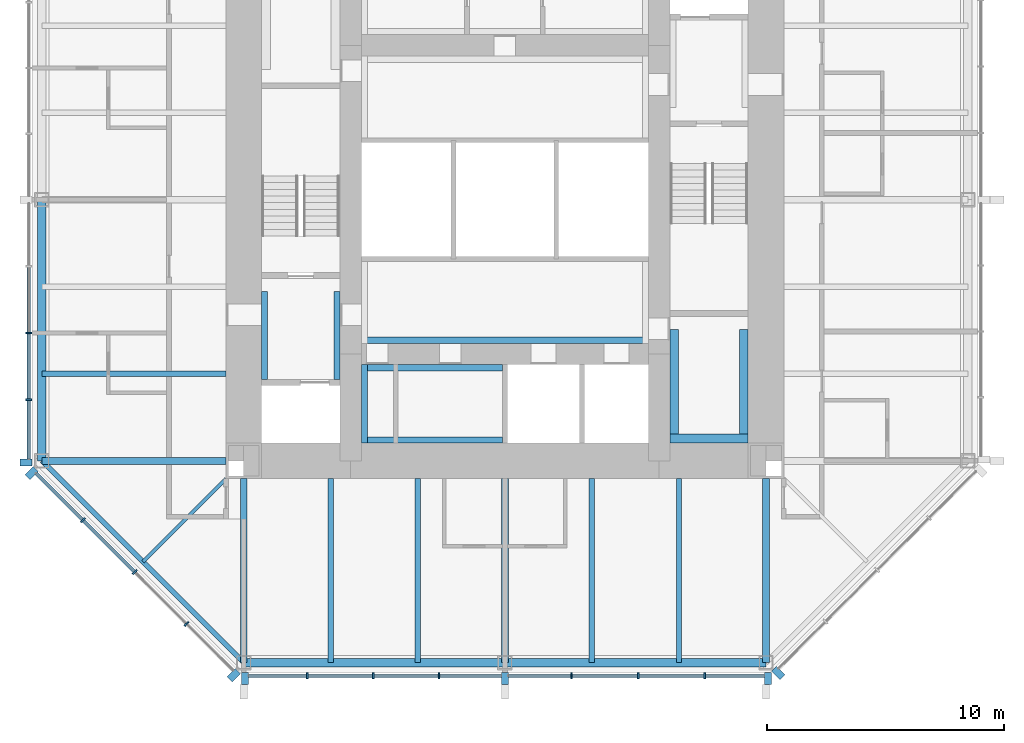
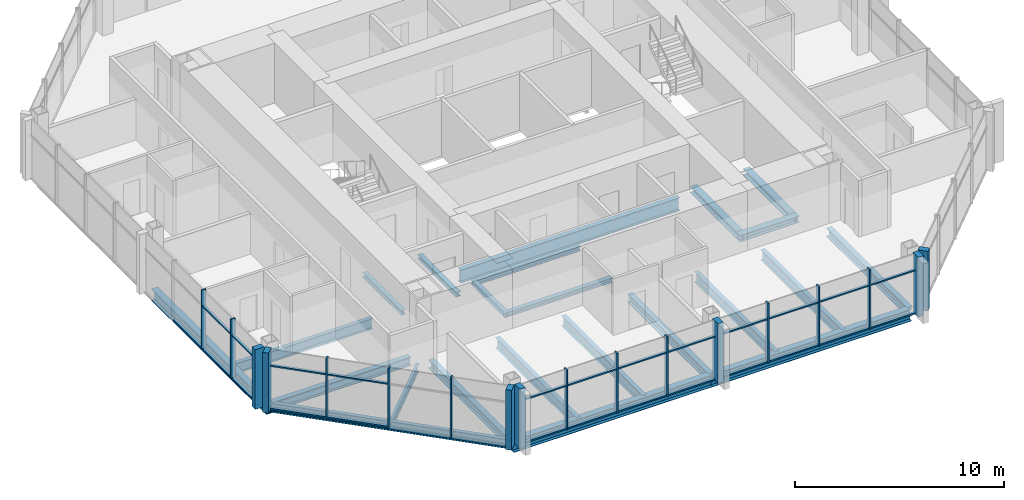
# One storey, part 2 of 11: 43 members, 23 beams, 4 elements without a shape of their own.
"""IFC4 building model written with IfcOpenShell, lengths in metres."""

from ifc_helpers import new_model, si_unit, direction, frame, origin, origin_2d, place, context, subcontext, project, spatial, rectangle, i_section, extrude, material, material_profile, profile_set, type_object, element, aggregate, save


model = new_model("IFC4")

# Units and contexts
model_context = context("Model", 3, precision=1e-05, world=origin(), true_north=direction((0.0, 1.0)))
body_context = subcontext(model_context, "Body", "Model", "MODEL_VIEW")
ifc_project = project(units=[si_unit("LENGTHUNIT", "METRE"), si_unit("AREAUNIT", "SQUARE_METRE"), si_unit("VOLUMEUNIT", "CUBIC_METRE"), si_unit("PLANEANGLEUNIT", "RADIAN"), si_unit("MASSUNIT", "GRAM", prefix="KILO")], contexts=[model_context])

# Site, building, storey
site_placement = place(None, origin())
site = spatial("IfcSite", under=ifc_project, at=site_placement, CompositionType="ELEMENT")
building_placement = place(site_placement, origin())
building = spatial("IfcBuilding", under=site, at=building_placement, Name="Trevanion Tower", CompositionType="ELEMENT")
storey_placement = place(building_placement, frame((0.0, 0.0, 253.699951171875)))
storey = spatial("IfcBuildingStorey", under=building, at=storey_placement, Name="L62", CompositionType="ELEMENT", Elevation=253.699951171875)

# Beams
ifc_material_1 = material(Name="Steel ASTM A992 Grade 50", Category="steel")
ifc_material_profile_1 = material_profile(ifc_material_1, i_section(OverallWidth=0.228271484375, OverallDepth=0.607177734375, WebThickness=0.01123046875, FlangeThickness=0.017333984375, at=origin_2d()), Name="W24X76")
ifc_profile_set_1 = profile_set([ifc_material_profile_1], Name="Steel ASTM A992 Grade 50")
beam_type_1 = type_object("IfcBeamType", Name="B11 W24X76", PredefinedType="BEAM", material=ifc_profile_set_1)
for number, where, z_axis, x_axis, name in (
    (1, (-11.75, -7.333251953125, -0.493408203125), (-1.0, 0.0, 0.0), (0.0, -1.0, 0.0), "B11 L62"),
    (2, (-7.333251953125, -11.75, -0.493408203125), (0.0, -1.0, 0.0), (1.0, 0.0, 0.0), "B11 L62"),
    (3, (-3.666748046875, -11.75, -0.493408203125), (0.0, -1.0, 0.0), (1.0, 0.0, 0.0), "B11 L62"),
    (4, (3.666748046875, -11.75, -0.493408203125), (0.0, -1.0, 0.0), (1.0, 0.0, 0.0), "B11 L62"),
    (5, (7.333251953125, -11.75, -0.493408203125), (0.0, -1.0, 0.0), (1.0, 0.0, 0.0), "B11 L62"),
):
    element("IfcBeam", number, at=place(storey_placement, frame(where, z_axis=z_axis, x_axis=x_axis)), inside=storey, type_object=beam_type_1, Name=name, PredefinedType="BEAM", context=body_context, shape_type="SweptSolid", body=[
        extrude(i_section(OverallWidth=0.228271484375, OverallDepth=0.607177734375, WebThickness=0.01123046875, FlangeThickness=0.017333984375, at=origin_2d()), origin(), (0.0, 0.0, 1.0), 7.75),
    ])
ifc_material_2 = material(Name="Steel ASTM A992 Grade 50", Category="steel")
ifc_material_profile_2 = material_profile(ifc_material_2, i_section(OverallWidth=0.15234375, OverallDepth=0.449462890625, WebThickness=0.007568359375, FlangeThickness=0.0107421875, at=origin_2d()), Name="W18X35")
ifc_profile_set_2 = profile_set([ifc_material_profile_2], Name="Steel ASTM A992 Grade 50")
beam_type_2 = type_object("IfcBeamType", Name="B12 W18X35", PredefinedType="BEAM", material=ifc_profile_set_2)
beam_1_placement = place(storey_placement, frame((-11.75, -11.75, -0.414794921875), z_axis=(-0.707106781187, -0.707106781187, 0.0), x_axis=(0.707106781187, -0.707106781187, 0.0)))
element("IfcBeam", 6, at=beam_1_placement, inside=storey, type_object=beam_type_2, Name="B12 L62", PredefinedType="BEAM", context=body_context, shape_type="SweptSolid", body=[
    extrude(i_section(OverallWidth=0.15234375, OverallDepth=0.449462890625, WebThickness=0.007568359375, FlangeThickness=0.0107421875, at=origin_2d()), origin(), (0.0, 0.0, 1.0), 4.94970703125),
])

# Curtain wall, members
ifc_material_3 = material(Name="Aluminium and glass", Category="aluminium")
curtain_wall_type = type_object("IfcCurtainWallType", Name="CW3 curtain wall", PredefinedType="USERDEFINED", material=ifc_material_3)
curtain_wall_1_placement = place(storey_placement, origin())
curtain_wall_1 = element("IfcCurtainWall", 7, at=curtain_wall_1_placement, inside=storey, type_object=curtain_wall_type, Name="CW3 L62 4", ObjectType="UNITISED CURTAIN WALL", PredefinedType="USERDEFINED")
ifc_material_4 = material(Name="Aluminium extrusion, anodised bronze", Category="aluminium")
ifc_material_profile_3 = material_profile(ifc_material_4, rectangle(XDim=0.074951171875, YDim=0.25, at=origin_2d()), Name="CW3 mullion")
ifc_profile_set_3 = profile_set([ifc_material_profile_3], Name="Aluminium extrusion, anodised bronze")
member_type_1 = type_object("IfcMemberType", Name="CW3 mullion", PredefinedType="MULLION", material=ifc_profile_set_3)
member_1_placement = place(storey_placement, frame((-20.050048828125, -5.614013671875, -0.18994140625), z_axis=(0.0, 0.0, 1.0), x_axis=(0.0, -1.0, 0.0)))
member_1 = element("IfcMember", 8, at=member_1_placement, type_object=member_type_1, Name="CW3 mullion 7", PredefinedType="MULLION", context=body_context, shape_type="SweptSolid", body=[
    extrude(rectangle(XDim=0.074951171875, YDim=0.25, at=origin_2d()), origin(), (0.0, 0.0, 1.0), 3.5),
])
member_2_placement = place(storey_placement, frame((-20.050048828125, -8.4208984375, -0.18994140625), z_axis=(0.0, 0.0, 1.0), x_axis=(0.0, -1.0, 0.0)))
member_2 = element("IfcMember", 9, at=member_2_placement, type_object=member_type_1, Name="CW3 mullion 8", PredefinedType="MULLION", context=body_context, shape_type="SweptSolid", body=[
    extrude(rectangle(XDim=0.074951171875, YDim=0.25, at=origin_2d()), origin(), (0.0, 0.0, 1.0), 3.5),
])

curtain_wall_2_placement = place(storey_placement, origin())
curtain_wall_2 = element("IfcCurtainWall", 10, at=curtain_wall_2_placement, inside=storey, type_object=curtain_wall_type, Name="CW3 L62 5", ObjectType="UNITISED CURTAIN WALL", PredefinedType="USERDEFINED")
member_3_placement = place(storey_placement, frame((-17.775390625, -13.502197265625, -0.18994140625), z_axis=(0.0, 0.0, 1.0), x_axis=(0.707106781187, -0.707106781187, 0.0)))
member_3 = element("IfcMember", 11, at=member_3_placement, type_object=member_type_1, Name="CW3 mullion 2", PredefinedType="MULLION", context=body_context, shape_type="SweptSolid", body=[
    extrude(rectangle(XDim=0.074951171875, YDim=0.25, at=origin_2d()), origin(), (0.0, 0.0, 1.0), 3.5),
])
member_4_placement = place(storey_placement, frame((-15.593017578125, -15.684814453125, -0.18994140625), z_axis=(0.0, 0.0, 1.0), x_axis=(0.707106781187, -0.707106781187, 0.0)))
member_4 = element("IfcMember", 12, at=member_4_placement, type_object=member_type_1, Name="CW3 mullion 3", PredefinedType="MULLION", context=body_context, shape_type="SweptSolid", body=[
    extrude(rectangle(XDim=0.074951171875, YDim=0.25, at=origin_2d()), origin(), (0.0, 0.0, 1.0), 3.5),
])
member_5_placement = place(storey_placement, frame((-13.410400390625, -17.867431640625, -0.18994140625), z_axis=(0.0, 0.0, 1.0), x_axis=(0.707106781187, -0.707106781187, 0.0)))
member_5 = element("IfcMember", 13, at=member_5_placement, type_object=member_type_1, Name="CW3 mullion 4", PredefinedType="MULLION", context=body_context, shape_type="SweptSolid", body=[
    extrude(rectangle(XDim=0.074951171875, YDim=0.25, at=origin_2d()), origin(), (0.0, 0.0, 1.0), 3.5),
])

curtain_wall_3_placement = place(storey_placement, origin())
curtain_wall_3 = element("IfcCurtainWall", 14, at=curtain_wall_3_placement, inside=storey, type_object=curtain_wall_type, Name="CW3 L62 6", ObjectType="UNITISED CURTAIN WALL", PredefinedType="USERDEFINED")
member_6_placement = place(storey_placement, frame((-8.323486328125, -20.050048828125, -0.18994140625), z_axis=(0.0, 0.0, 1.0), x_axis=(1.0, 0.0, 0.0)))
member_6 = element("IfcMember", 15, at=member_6_placement, type_object=member_type_1, Name="CW3 mullion 2", PredefinedType="MULLION", context=body_context, shape_type="SweptSolid", body=[
    extrude(rectangle(XDim=0.074951171875, YDim=0.25, at=origin_2d()), origin(), (0.0, 0.0, 1.0), 3.5),
])
member_7_placement = place(storey_placement, frame((-5.548828125, -20.050048828125, -0.18994140625), z_axis=(0.0, 0.0, 1.0), x_axis=(1.0, 0.0, 0.0)))
member_7 = element("IfcMember", 16, at=member_7_placement, type_object=member_type_1, Name="CW3 mullion 3", PredefinedType="MULLION", context=body_context, shape_type="SweptSolid", body=[
    extrude(rectangle(XDim=0.074951171875, YDim=0.25, at=origin_2d()), origin(), (0.0, 0.0, 1.0), 3.5),
])
member_8_placement = place(storey_placement, frame((-2.7744140625, -20.050048828125, -0.18994140625), z_axis=(0.0, 0.0, 1.0), x_axis=(1.0, 0.0, 0.0)))
member_8 = element("IfcMember", 17, at=member_8_placement, type_object=member_type_1, Name="CW3 mullion 4", PredefinedType="MULLION", context=body_context, shape_type="SweptSolid", body=[
    extrude(rectangle(XDim=0.074951171875, YDim=0.25, at=origin_2d()), origin(), (0.0, 0.0, 1.0), 3.5),
])
member_9_placement = place(storey_placement, frame((2.806884765625, -20.050048828125, -0.18994140625), z_axis=(0.0, 0.0, 1.0), x_axis=(1.0, 0.0, 0.0)))
member_9 = element("IfcMember", 18, at=member_9_placement, type_object=member_type_1, Name="CW3 mullion 6", PredefinedType="MULLION", context=body_context, shape_type="SweptSolid", body=[
    extrude(rectangle(XDim=0.074951171875, YDim=0.25, at=origin_2d()), origin(), (0.0, 0.0, 1.0), 3.5),
])
member_10_placement = place(storey_placement, frame((5.614013671875, -20.050048828125, -0.18994140625), z_axis=(0.0, 0.0, 1.0), x_axis=(1.0, 0.0, 0.0)))
member_10 = element("IfcMember", 19, at=member_10_placement, type_object=member_type_1, Name="CW3 mullion 7", PredefinedType="MULLION", context=body_context, shape_type="SweptSolid", body=[
    extrude(rectangle(XDim=0.074951171875, YDim=0.25, at=origin_2d()), origin(), (0.0, 0.0, 1.0), 3.5),
])
member_11_placement = place(storey_placement, frame((8.4208984375, -20.050048828125, -0.18994140625), z_axis=(0.0, 0.0, 1.0), x_axis=(1.0, 0.0, 0.0)))
member_11 = element("IfcMember", 20, at=member_11_placement, type_object=member_type_1, Name="CW3 mullion 8", PredefinedType="MULLION", context=body_context, shape_type="SweptSolid", body=[
    extrude(rectangle(XDim=0.074951171875, YDim=0.25, at=origin_2d()), origin(), (0.0, 0.0, 1.0), 3.5),
])

# Member
ifc_material_5 = material(Name="Aluminium extrusion, anodised bronze", Category="aluminium")
ifc_material_profile_4 = material_profile(ifc_material_5, rectangle(XDim=0.300048828125, YDim=0.5, at=origin_2d()), Name="CW3 pier mullion")
ifc_profile_set_4 = profile_set([ifc_material_profile_4], Name="Aluminium extrusion, anodised bronze")
member_type_2 = type_object("IfcMemberType", Name="CW3 pier mullion", PredefinedType="MULLION", material=ifc_profile_set_4)
member_12_placement = place(storey_placement, frame((-20.175048828125, -11.077880859375, -0.18994140625), z_axis=(0.0, 0.0, 1.0), x_axis=(0.0, -1.0, 0.0)))
member_12 = element("IfcMember", 21, at=member_12_placement, type_object=member_type_2, Name="CW3 pier mullion 9", PredefinedType="MULLION", context=body_context, shape_type="SweptSolid", body=[
    extrude(rectangle(XDim=0.300048828125, YDim=0.5, at=origin_2d()), origin(), (0.0, 0.0, 1.0), 3.5),
])

member_13_placement = place(storey_placement, frame((-19.9404296875, -11.51416015625, -0.18994140625), z_axis=(0.0, 0.0, 1.0), x_axis=(0.707106781187, -0.707106781187, 0.0)))
member_13 = element("IfcMember", 22, at=member_13_placement, type_object=member_type_2, Name="CW3 pier mullion 1", PredefinedType="MULLION", context=body_context, shape_type="SweptSolid", body=[
    extrude(rectangle(XDim=0.300048828125, YDim=0.5, at=origin_2d()), origin(), (0.0, 0.0, 1.0), 3.5),
])

member_14_placement = place(storey_placement, frame((-11.42236328125, -20.0322265625, -0.18994140625), z_axis=(0.0, 0.0, 1.0), x_axis=(0.707106781187, -0.707106781187, 0.0)))
member_14 = element("IfcMember", 23, at=member_14_placement, type_object=member_type_2, Name="CW3 pier mullion 5", PredefinedType="MULLION", context=body_context, shape_type="SweptSolid", body=[
    extrude(rectangle(XDim=0.300048828125, YDim=0.5, at=origin_2d()), origin(), (0.0, 0.0, 1.0), 3.5),
])

member_15_placement = place(storey_placement, frame((-10.94775390625, -20.175048828125, -0.18994140625), z_axis=(0.0, 0.0, 1.0), x_axis=(1.0, 0.0, 0.0)))
member_15 = element("IfcMember", 24, at=member_15_placement, type_object=member_type_2, Name="CW3 pier mullion 1", PredefinedType="MULLION", context=body_context, shape_type="SweptSolid", body=[
    extrude(rectangle(XDim=0.300048828125, YDim=0.5, at=origin_2d()), origin(), (0.0, 0.0, 1.0), 3.5),
])

member_16_placement = place(storey_placement, frame((0.0, -20.175048828125, -0.18994140625), z_axis=(0.0, 0.0, 1.0), x_axis=(1.0, 0.0, 0.0)))
member_16 = element("IfcMember", 25, at=member_16_placement, type_object=member_type_2, Name="CW3 pier mullion 5", PredefinedType="MULLION", context=body_context, shape_type="SweptSolid", body=[
    extrude(rectangle(XDim=0.300048828125, YDim=0.5, at=origin_2d()), origin(), (0.0, 0.0, 1.0), 3.5),
])

member_17_placement = place(storey_placement, frame((11.077880859375, -20.175048828125, -0.18994140625), z_axis=(0.0, 0.0, 1.0), x_axis=(1.0, 0.0, 0.0)))
member_17 = element("IfcMember", 26, at=member_17_placement, type_object=member_type_2, Name="CW3 pier mullion 9", PredefinedType="MULLION", context=body_context, shape_type="SweptSolid", body=[
    extrude(rectangle(XDim=0.300048828125, YDim=0.5, at=origin_2d()), origin(), (0.0, 0.0, 1.0), 3.5),
])

# Curtain wall, member
curtain_wall_4_placement = place(storey_placement, origin())
curtain_wall_4 = element("IfcCurtainWall", 27, at=curtain_wall_4_placement, inside=storey, type_object=curtain_wall_type, Name="CW3 L62 7", ObjectType="UNITISED CURTAIN WALL", PredefinedType="USERDEFINED")
member_18_placement = place(storey_placement, frame((11.51416015625, -19.9404296875, -0.18994140625), z_axis=(0.0, 0.0, 1.0), x_axis=(0.707106781187, 0.707106781187, 0.0)))
member_18 = element("IfcMember", 28, at=member_18_placement, type_object=member_type_2, Name="CW3 pier mullion 1", PredefinedType="MULLION", context=body_context, shape_type="SweptSolid", body=[
    extrude(rectangle(XDim=0.300048828125, YDim=0.5, at=origin_2d()), origin(), (0.0, 0.0, 1.0), 3.5),
])
aggregate(curtain_wall_4, [member_18])

# Member
ifc_material_6 = material(Name="Aluminium extrusion, anodised bronze", Category="aluminium")
ifc_material_profile_5 = material_profile(ifc_material_6, rectangle(XDim=0.14990234375, YDim=0.074951171875, at=origin_2d()), Name="CW3 transom")
ifc_profile_set_5 = profile_set([ifc_material_profile_5], Name="Aluminium extrusion, anodised bronze")
member_type_3 = type_object("IfcMemberType", Name="CW3 transom", PredefinedType="USERDEFINED", material=ifc_profile_set_5)
member_19_placement = place(storey_placement, frame((-20.050048828125, -2.844482421875, -0.15234375), z_axis=(0.0, -1.0, 0.0), x_axis=(1.0, 0.0, 0.0)))
member_19 = element("IfcMember", 29, at=member_19_placement, type_object=member_type_3, Name="CW3 transom 6.1", ObjectType="TRANSOM", PredefinedType="USERDEFINED", context=body_context, shape_type="SweptSolid", body=[
    extrude(rectangle(XDim=0.14990234375, YDim=0.074951171875, at=origin_2d()), origin(), (0.0, 0.0, 1.0), 2.73193359375),
])

member_20_placement = place(storey_placement, frame((-20.050048828125, -5.6513671875, -0.15234375), z_axis=(0.0, -1.0, 0.0), x_axis=(1.0, 0.0, 0.0)))
member_20 = element("IfcMember", 30, at=member_20_placement, type_object=member_type_3, Name="CW3 transom 7.1", ObjectType="TRANSOM", PredefinedType="USERDEFINED", context=body_context, shape_type="SweptSolid", body=[
    extrude(rectangle(XDim=0.14990234375, YDim=0.074951171875, at=origin_2d()), origin(), (0.0, 0.0, 1.0), 2.73193359375),
])

member_21_placement = place(storey_placement, frame((-20.050048828125, -5.6513671875, 2.360107421875), z_axis=(0.0, -1.0, 0.0), x_axis=(1.0, 0.0, 0.0)))
member_21 = element("IfcMember", 31, at=member_21_placement, type_object=member_type_3, Name="CW3 transom 7.2", ObjectType="TRANSOM", PredefinedType="USERDEFINED", context=body_context, shape_type="SweptSolid", body=[
    extrude(rectangle(XDim=0.14990234375, YDim=0.074951171875, at=origin_2d()), origin(), (0.0, 0.0, 1.0), 2.73193359375),
])

member_22_placement = place(storey_placement, frame((-20.050048828125, -8.45849609375, -0.15234375), z_axis=(0.0, -1.0, 0.0), x_axis=(1.0, 0.0, 0.0)))
member_22 = element("IfcMember", 32, at=member_22_placement, type_object=member_type_3, Name="CW3 transom 8.1", ObjectType="TRANSOM", PredefinedType="USERDEFINED", context=body_context, shape_type="SweptSolid", body=[
    extrude(rectangle(XDim=0.14990234375, YDim=0.074951171875, at=origin_2d()), origin(), (0.0, 0.0, 1.0), 2.46923828125),
])

member_23_placement = place(storey_placement, frame((-20.050048828125, -8.45849609375, 2.360107421875), z_axis=(0.0, -1.0, 0.0), x_axis=(1.0, 0.0, 0.0)))
member_23 = element("IfcMember", 33, at=member_23_placement, type_object=member_type_3, Name="CW3 transom 8.2", ObjectType="TRANSOM", PredefinedType="USERDEFINED", context=body_context, shape_type="SweptSolid", body=[
    extrude(rectangle(XDim=0.14990234375, YDim=0.074951171875, at=origin_2d()), origin(), (0.0, 0.0, 1.0), 2.46923828125),
])

aggregate(curtain_wall_1, [member_1, member_2, member_12, member_19, member_20, member_21, member_22, member_23])

member_24_placement = place(storey_placement, frame((-19.745849609375, -11.531982421875, -0.15234375), z_axis=(0.707106781187, -0.707106781187, 0.0), x_axis=(0.707106781187, 0.707106781187, 0.0)))
member_24 = element("IfcMember", 34, at=member_24_placement, type_object=member_type_3, Name="CW3 transom 1.1", ObjectType="TRANSOM", PredefinedType="USERDEFINED", context=body_context, shape_type="SweptSolid", body=[
    extrude(rectangle(XDim=0.14990234375, YDim=0.074951171875, at=origin_2d()), origin(), (0.0, 0.0, 1.0), 2.7490234375),
])

member_25_placement = place(storey_placement, frame((-19.745849609375, -11.531982421875, 2.360107421875), z_axis=(0.707106781187, -0.707106781187, 0.0), x_axis=(0.707106781187, 0.707106781187, 0.0)))
member_25 = element("IfcMember", 35, at=member_25_placement, type_object=member_type_3, Name="CW3 transom 1.2", ObjectType="TRANSOM", PredefinedType="USERDEFINED", context=body_context, shape_type="SweptSolid", body=[
    extrude(rectangle(XDim=0.14990234375, YDim=0.074951171875, at=origin_2d()), origin(), (0.0, 0.0, 1.0), 2.7490234375),
])

member_26_placement = place(storey_placement, frame((-17.7490234375, -13.52880859375, -0.15234375), z_axis=(0.707106781187, -0.707106781187, 0.0), x_axis=(0.707106781187, 0.707106781187, 0.0)))
member_26 = element("IfcMember", 36, at=member_26_placement, type_object=member_type_3, Name="CW3 transom 2.1", ObjectType="TRANSOM", PredefinedType="USERDEFINED", context=body_context, shape_type="SweptSolid", body=[
    extrude(rectangle(XDim=0.14990234375, YDim=0.074951171875, at=origin_2d()), origin(), (0.0, 0.0, 1.0), 3.01171875),
])

member_27_placement = place(storey_placement, frame((-17.7490234375, -13.52880859375, 2.360107421875), z_axis=(0.707106781187, -0.707106781187, 0.0), x_axis=(0.707106781187, 0.707106781187, 0.0)))
member_27 = element("IfcMember", 37, at=member_27_placement, type_object=member_type_3, Name="CW3 transom 2.2", ObjectType="TRANSOM", PredefinedType="USERDEFINED", context=body_context, shape_type="SweptSolid", body=[
    extrude(rectangle(XDim=0.14990234375, YDim=0.074951171875, at=origin_2d()), origin(), (0.0, 0.0, 1.0), 3.01171875),
])

aggregate(curtain_wall_2, [member_13, member_3, member_4, member_5, member_14, member_24, member_25, member_26, member_27])

member_28_placement = place(storey_placement, frame((-10.7978515625, -20.050048828125, -0.15234375), z_axis=(1.0, 0.0, 0.0), x_axis=(0.0, 1.0, 0.0)))
member_28 = element("IfcMember", 38, at=member_28_placement, type_object=member_type_3, Name="CW3 transom 1.1", ObjectType="TRANSOM", PredefinedType="USERDEFINED", context=body_context, shape_type="SweptSolid", body=[
    extrude(rectangle(XDim=0.14990234375, YDim=0.074951171875, at=origin_2d()), origin(), (0.0, 0.0, 1.0), 2.43701171875),
])

member_29_placement = place(storey_placement, frame((-10.7978515625, -20.050048828125, 2.360107421875), z_axis=(1.0, 0.0, 0.0), x_axis=(0.0, 1.0, 0.0)))
member_29 = element("IfcMember", 39, at=member_29_placement, type_object=member_type_3, Name="CW3 transom 1.2", ObjectType="TRANSOM", PredefinedType="USERDEFINED", context=body_context, shape_type="SweptSolid", body=[
    extrude(rectangle(XDim=0.14990234375, YDim=0.074951171875, at=origin_2d()), origin(), (0.0, 0.0, 1.0), 2.43701171875),
])

member_30_placement = place(storey_placement, frame((-8.285888671875, -20.050048828125, -0.15234375), z_axis=(1.0, 0.0, 0.0), x_axis=(0.0, 1.0, 0.0)))
member_30 = element("IfcMember", 40, at=member_30_placement, type_object=member_type_3, Name="CW3 transom 2.1", ObjectType="TRANSOM", PredefinedType="USERDEFINED", context=body_context, shape_type="SweptSolid", body=[
    extrude(rectangle(XDim=0.14990234375, YDim=0.074951171875, at=origin_2d()), origin(), (0.0, 0.0, 1.0), 2.699462890625),
])

member_31_placement = place(storey_placement, frame((-8.285888671875, -20.050048828125, 2.360107421875), z_axis=(1.0, 0.0, 0.0), x_axis=(0.0, 1.0, 0.0)))
member_31 = element("IfcMember", 41, at=member_31_placement, type_object=member_type_3, Name="CW3 transom 2.2", ObjectType="TRANSOM", PredefinedType="USERDEFINED", context=body_context, shape_type="SweptSolid", body=[
    extrude(rectangle(XDim=0.14990234375, YDim=0.074951171875, at=origin_2d()), origin(), (0.0, 0.0, 1.0), 2.699462890625),
])

member_32_placement = place(storey_placement, frame((-5.511474609375, -20.050048828125, -0.15234375), z_axis=(1.0, 0.0, 0.0), x_axis=(0.0, 1.0, 0.0)))
member_32 = element("IfcMember", 42, at=member_32_placement, type_object=member_type_3, Name="CW3 transom 3.1", ObjectType="TRANSOM", PredefinedType="USERDEFINED", context=body_context, shape_type="SweptSolid", body=[
    extrude(rectangle(XDim=0.14990234375, YDim=0.074951171875, at=origin_2d()), origin(), (0.0, 0.0, 1.0), 2.699462890625),
])

member_33_placement = place(storey_placement, frame((-5.511474609375, -20.050048828125, 2.360107421875), z_axis=(1.0, 0.0, 0.0), x_axis=(0.0, 1.0, 0.0)))
member_33 = element("IfcMember", 43, at=member_33_placement, type_object=member_type_3, Name="CW3 transom 3.2", ObjectType="TRANSOM", PredefinedType="USERDEFINED", context=body_context, shape_type="SweptSolid", body=[
    extrude(rectangle(XDim=0.14990234375, YDim=0.074951171875, at=origin_2d()), origin(), (0.0, 0.0, 1.0), 2.699462890625),
])

member_34_placement = place(storey_placement, frame((-2.737060546875, -20.050048828125, -0.15234375), z_axis=(1.0, 0.0, 0.0), x_axis=(0.0, 1.0, 0.0)))
member_34 = element("IfcMember", 44, at=member_34_placement, type_object=member_type_3, Name="CW3 transom 4.1", ObjectType="TRANSOM", PredefinedType="USERDEFINED", context=body_context, shape_type="SweptSolid", body=[
    extrude(rectangle(XDim=0.14990234375, YDim=0.074951171875, at=origin_2d()), origin(), (0.0, 0.0, 1.0), 2.587158203125),
])

member_35_placement = place(storey_placement, frame((-2.737060546875, -20.050048828125, 2.360107421875), z_axis=(1.0, 0.0, 0.0), x_axis=(0.0, 1.0, 0.0)))
member_35 = element("IfcMember", 45, at=member_35_placement, type_object=member_type_3, Name="CW3 transom 4.2", ObjectType="TRANSOM", PredefinedType="USERDEFINED", context=body_context, shape_type="SweptSolid", body=[
    extrude(rectangle(XDim=0.14990234375, YDim=0.074951171875, at=origin_2d()), origin(), (0.0, 0.0, 1.0), 2.587158203125),
])

member_36_placement = place(storey_placement, frame((0.14990234375, -20.050048828125, -0.15234375), z_axis=(1.0, 0.0, 0.0), x_axis=(0.0, 1.0, 0.0)))
member_36 = element("IfcMember", 46, at=member_36_placement, type_object=member_type_3, Name="CW3 transom 5.1", ObjectType="TRANSOM", PredefinedType="USERDEFINED", context=body_context, shape_type="SweptSolid", body=[
    extrude(rectangle(XDim=0.14990234375, YDim=0.074951171875, at=origin_2d()), origin(), (0.0, 0.0, 1.0), 2.619384765625),
])

member_37_placement = place(storey_placement, frame((0.14990234375, -20.050048828125, 2.360107421875), z_axis=(1.0, 0.0, 0.0), x_axis=(0.0, 1.0, 0.0)))
member_37 = element("IfcMember", 47, at=member_37_placement, type_object=member_type_3, Name="CW3 transom 5.2", ObjectType="TRANSOM", PredefinedType="USERDEFINED", context=body_context, shape_type="SweptSolid", body=[
    extrude(rectangle(XDim=0.14990234375, YDim=0.074951171875, at=origin_2d()), origin(), (0.0, 0.0, 1.0), 2.619384765625),
])

member_38_placement = place(storey_placement, frame((2.844482421875, -20.050048828125, -0.15234375), z_axis=(1.0, 0.0, 0.0), x_axis=(0.0, 1.0, 0.0)))
member_38 = element("IfcMember", 48, at=member_38_placement, type_object=member_type_3, Name="CW3 transom 6.1", ObjectType="TRANSOM", PredefinedType="USERDEFINED", context=body_context, shape_type="SweptSolid", body=[
    extrude(rectangle(XDim=0.14990234375, YDim=0.074951171875, at=origin_2d()), origin(), (0.0, 0.0, 1.0), 2.73193359375),
])

member_39_placement = place(storey_placement, frame((2.844482421875, -20.050048828125, 2.360107421875), z_axis=(1.0, 0.0, 0.0), x_axis=(0.0, 1.0, 0.0)))
member_39 = element("IfcMember", 49, at=member_39_placement, type_object=member_type_3, Name="CW3 transom 6.2", ObjectType="TRANSOM", PredefinedType="USERDEFINED", context=body_context, shape_type="SweptSolid", body=[
    extrude(rectangle(XDim=0.14990234375, YDim=0.074951171875, at=origin_2d()), origin(), (0.0, 0.0, 1.0), 2.73193359375),
])

member_40_placement = place(storey_placement, frame((5.6513671875, -20.050048828125, -0.15234375), z_axis=(1.0, 0.0, 0.0), x_axis=(0.0, 1.0, 0.0)))
member_40 = element("IfcMember", 50, at=member_40_placement, type_object=member_type_3, Name="CW3 transom 7.1", ObjectType="TRANSOM", PredefinedType="USERDEFINED", context=body_context, shape_type="SweptSolid", body=[
    extrude(rectangle(XDim=0.14990234375, YDim=0.074951171875, at=origin_2d()), origin(), (0.0, 0.0, 1.0), 2.73193359375),
])

member_41_placement = place(storey_placement, frame((5.6513671875, -20.050048828125, 2.360107421875), z_axis=(1.0, 0.0, 0.0), x_axis=(0.0, 1.0, 0.0)))
member_41 = element("IfcMember", 51, at=member_41_placement, type_object=member_type_3, Name="CW3 transom 7.2", ObjectType="TRANSOM", PredefinedType="USERDEFINED", context=body_context, shape_type="SweptSolid", body=[
    extrude(rectangle(XDim=0.14990234375, YDim=0.074951171875, at=origin_2d()), origin(), (0.0, 0.0, 1.0), 2.73193359375),
])

member_42_placement = place(storey_placement, frame((8.45849609375, -20.050048828125, -0.15234375), z_axis=(1.0, 0.0, 0.0), x_axis=(0.0, 1.0, 0.0)))
member_42 = element("IfcMember", 52, at=member_42_placement, type_object=member_type_3, Name="CW3 transom 8.1", ObjectType="TRANSOM", PredefinedType="USERDEFINED", context=body_context, shape_type="SweptSolid", body=[
    extrude(rectangle(XDim=0.14990234375, YDim=0.074951171875, at=origin_2d()), origin(), (0.0, 0.0, 1.0), 2.46923828125),
])

member_43_placement = place(storey_placement, frame((8.45849609375, -20.050048828125, 2.360107421875), z_axis=(1.0, 0.0, 0.0), x_axis=(0.0, 1.0, 0.0)))
member_43 = element("IfcMember", 53, at=member_43_placement, type_object=member_type_3, Name="CW3 transom 8.2", ObjectType="TRANSOM", PredefinedType="USERDEFINED", context=body_context, shape_type="SweptSolid", body=[
    extrude(rectangle(XDim=0.14990234375, YDim=0.074951171875, at=origin_2d()), origin(), (0.0, 0.0, 1.0), 2.46923828125),
])

aggregate(curtain_wall_3, [member_15, member_6, member_7, member_8, member_16, member_9, member_10, member_11, member_17, member_28, member_29, member_30, member_31, member_32, member_33, member_34, member_35, member_36, member_37, member_38, member_39, member_40, member_41, member_42, member_43])

# Beams
ifc_material_7 = material(Name="Steel ASTM A992 Grade 50", Category="steel")
ifc_material_profile_6 = material_profile(ifc_material_7, i_section(OverallWidth=0.28955078125, OverallDepth=0.508056640625, WebThickness=0.022705078125, FlangeThickness=0.040283203125, at=origin_2d()), Name="W18X175")
ifc_profile_set_6 = profile_set([ifc_material_profile_6], Name="Steel ASTM A992 Grade 50")
beam_type_3 = type_object("IfcBeamType", Name="G6 W18X175", PredefinedType="BEAM", material=ifc_profile_set_6)
for number, where, z_axis, x_axis, name in (
    (54, (-11.75, -11.0, -0.44384765625), (-1.0, 0.0, 0.0), (0.0, -1.0, 0.0), "G6 L62"),
    (55, (-11.0, -11.75, -0.44384765625), (0.0, -1.0, 0.0), (1.0, 0.0, 0.0), "G6 L62"),
    (56, (0.0, -11.75, -0.44384765625), (0.0, -1.0, 0.0), (1.0, 0.0, 0.0), "G6 L62"),
    (57, (11.0, -11.75, -0.44384765625), (0.0, -1.0, 0.0), (1.0, 0.0, 0.0), "G6 L62"),
):
    element("IfcBeam", number, at=place(storey_placement, frame(where, z_axis=z_axis, x_axis=x_axis)), inside=storey, type_object=beam_type_3, Name=name, PredefinedType="BEAM", context=body_context, shape_type="SweptSolid", body=[
        extrude(i_section(OverallWidth=0.28955078125, OverallDepth=0.508056640625, WebThickness=0.022705078125, FlangeThickness=0.040283203125, at=origin_2d()), origin(), (0.0, 0.0, 1.0), 7.75),
    ])
ifc_material_8 = material(Name="Steel ASTM A992 Grade 50", Category="steel")
ifc_material_profile_7 = material_profile(ifc_material_8, i_section(OverallWidth=0.256591796875, OverallDepth=0.26416015625, WebThickness=0.011962890625, FlangeThickness=0.01953125, at=origin_2d()), Name="W10X68")
ifc_profile_set_7 = profile_set([ifc_material_profile_7], Name="Steel ASTM A992 Grade 50")
beam_type_4 = type_object("IfcBeamType", Name="LB1 W10X68", PredefinedType="BEAM", material=ifc_profile_set_7)
for number, where, z_axis, x_axis, name in (
    (58, (-10.12158203125, -7.574951171875, -0.33203125), (0.0, 1.0, 0.0), (-1.0, 0.0, 0.0), "LB1 L62"),
    (59, (-7.078369140625, -7.574951171875, -0.33203125), (0.0, 1.0, 0.0), (-1.0, 0.0, 0.0), "LB1 L62"),
):
    element("IfcBeam", number, at=place(storey_placement, frame(where, z_axis=z_axis, x_axis=x_axis)), inside=storey, type_object=beam_type_4, Name=name, PredefinedType="BEAM", context=body_context, shape_type="SweptSolid", body=[
        extrude(i_section(OverallWidth=0.256591796875, OverallDepth=0.26416015625, WebThickness=0.011962890625, FlangeThickness=0.01953125, at=origin_2d()), origin(), (0.0, 0.0, 1.0), 3.699951171875),
    ])
beam_2_placement = place(storey_placement, frame((-5.921630859375, -10.25, -0.33203125), z_axis=(0.0, 1.0, 0.0), x_axis=(-1.0, 0.0, 0.0)))
element("IfcBeam", 60, at=beam_2_placement, inside=storey, type_object=beam_type_4, Name="LB1 L62", PredefinedType="BEAM", context=body_context, shape_type="SweptSolid", body=[
    extrude(i_section(OverallWidth=0.256591796875, OverallDepth=0.26416015625, WebThickness=0.011962890625, FlangeThickness=0.01953125, at=origin_2d()), origin(), (0.0, 0.0, 1.0), 3.300048828125),
])
for number, where, z_axis, x_axis, name in (
    (61, (-6.050048828125, -10.12158203125, -0.33203125), (1.0, 0.0, 0.0), (0.0, 1.0, 0.0), "LB1 L62"),
    (62, (-6.050048828125, -7.078369140625, -0.33203125), (1.0, 0.0, 0.0), (0.0, 1.0, 0.0), "LB1 L62"),
):
    element("IfcBeam", number, at=place(storey_placement, frame(where, z_axis=z_axis, x_axis=x_axis)), inside=storey, type_object=beam_type_4, Name=name, PredefinedType="BEAM", context=body_context, shape_type="SweptSolid", body=[
        extrude(i_section(OverallWidth=0.256591796875, OverallDepth=0.26416015625, WebThickness=0.011962890625, FlangeThickness=0.01953125, at=origin_2d()), origin(), (0.0, 0.0, 1.0), 5.949951171875),
    ])
ifc_material_9 = material(Name="Steel ASTM A992 Grade 50", Category="steel")
ifc_material_profile_8 = material_profile(ifc_material_9, i_section(OverallWidth=0.373291015625, OverallDepth=0.373291015625, WebThickness=0.016357421875, FlangeThickness=0.026123046875, at=origin_2d()), Name="W14X132")
ifc_profile_set_8 = profile_set([ifc_material_profile_8], Name="Steel ASTM A992 Grade 50")
beam_type_5 = type_object("IfcBeamType", Name="LB2 W14X132", PredefinedType="BEAM", material=ifc_profile_set_8)
for number, where, z_axis, x_axis, name in (
    (63, (7.13671875, -10.25, -0.38671875), (0.0, 1.0, 0.0), (-1.0, 0.0, 0.0), "LB2 L62"),
    (64, (10.063232421875, -10.25, -0.38671875), (0.0, 1.0, 0.0), (-1.0, 0.0, 0.0), "LB2 L62"),
):
    element("IfcBeam", number, at=place(storey_placement, frame(where, z_axis=z_axis, x_axis=x_axis)), inside=storey, type_object=beam_type_5, Name=name, PredefinedType="BEAM", context=body_context, shape_type="SweptSolid", body=[
        extrude(i_section(OverallWidth=0.373291015625, OverallDepth=0.373291015625, WebThickness=0.016357421875, FlangeThickness=0.026123046875, at=origin_2d()), origin(), (0.0, 0.0, 1.0), 4.77490234375),
    ])
beam_3_placement = place(storey_placement, frame((6.949951171875, -10.063232421875, -0.38671875), z_axis=(1.0, 0.0, 0.0), x_axis=(0.0, 1.0, 0.0)))
element("IfcBeam", 65, at=beam_3_placement, inside=storey, type_object=beam_type_5, Name="LB2 L62", PredefinedType="BEAM", context=body_context, shape_type="SweptSolid", body=[
    extrude(i_section(OverallWidth=0.373291015625, OverallDepth=0.373291015625, WebThickness=0.016357421875, FlangeThickness=0.026123046875, at=origin_2d()), origin(), (0.0, 0.0, 1.0), 3.300048828125),
])
ifc_material_10 = material(Name="Steel ASTM A992 Grade 50", Category="steel")
ifc_material_profile_9 = material_profile(ifc_material_10, i_section(OverallWidth=0.2666015625, OverallDepth=0.76953125, WebThickness=0.015625, FlangeThickness=0.025390625, at=origin_2d()), Name="W30X132")
ifc_profile_set_9 = profile_set([ifc_material_profile_9], Name="Steel ASTM A992 Grade 50")
beam_type_6 = type_object("IfcBeamType", Name="LB3 W30X132", PredefinedType="BEAM", material=ifc_profile_set_9)
beam_4_placement = place(storey_placement, frame((-6.050048828125, -5.91650390625, -0.584716796875), z_axis=(1.0, 0.0, 0.0), x_axis=(0.0, 1.0, 0.0)))
element("IfcBeam", 66, at=beam_4_placement, inside=storey, type_object=beam_type_6, Name="LB3 L62", PredefinedType="BEAM", context=body_context, shape_type="SweptSolid", body=[
    extrude(i_section(OverallWidth=0.2666015625, OverallDepth=0.76953125, WebThickness=0.015625, FlangeThickness=0.025390625, at=origin_2d()), origin(), (0.0, 0.0, 1.0), 12.10009765625),
])
ifc_material_11 = material(Name="Steel ASTM A992 Grade 50", Category="steel")
ifc_material_profile_10 = material_profile(ifc_material_11, i_section(OverallWidth=0.355712890625, OverallDepth=0.696044921875, WebThickness=0.015380859375, FlangeThickness=0.024658203125, at=origin_2d()), Name="W27X146")
ifc_profile_set_10 = profile_set([ifc_material_profile_10], Name="Steel ASTM A992 Grade 50")
beam_type_7 = type_object("IfcBeamType", Name="SB8 W27X146", PredefinedType="SPANDREL", material=ifc_profile_set_10)
for number, where, z_axis, x_axis, name in (
    (67, (-19.5, 0.0, -0.537841796875), (0.0, -1.0, 0.0), (1.0, 0.0, 0.0), "SB8 L62"),
    (68, (-11.0, -19.5, -0.537841796875), (1.0, 0.0, 0.0), (0.0, 1.0, 0.0), "SB8 L62"),
    (69, (0.0, -19.5, -0.537841796875), (1.0, 0.0, 0.0), (0.0, 1.0, 0.0), "SB8 L62"),
):
    element("IfcBeam", number, at=place(storey_placement, frame(where, z_axis=z_axis, x_axis=x_axis)), inside=storey, type_object=beam_type_7, Name=name, PredefinedType="SPANDREL", context=body_context, shape_type="SweptSolid", body=[
        extrude(i_section(OverallWidth=0.355712890625, OverallDepth=0.696044921875, WebThickness=0.015380859375, FlangeThickness=0.024658203125, at=origin_2d()), origin(), (0.0, 0.0, 1.0), 11.0),
    ])
ifc_material_12 = material(Name="Steel ASTM A992 Grade 50", Category="steel")
ifc_material_profile_11 = material_profile(ifc_material_12, i_section(OverallWidth=0.209228515625, OverallDepth=0.533447265625, WebThickness=0.01025390625, FlangeThickness=0.015625, at=origin_2d()), Name="W21X62")
ifc_profile_set_11 = profile_set([ifc_material_profile_11], Name="Steel ASTM A992 Grade 50")
beam_type_8 = type_object("IfcBeamType", Name="SB9 W21X62", PredefinedType="SPANDREL", material=ifc_profile_set_11)
beam_5_placement = place(storey_placement, frame((-19.5, -11.0, -0.45654296875), z_axis=(0.707106781187, -0.707106781187, 0.0), x_axis=(0.707106781187, 0.707106781187, 0.0)))
element("IfcBeam", 70, at=beam_5_placement, inside=storey, type_object=beam_type_8, Name="SB9 L62", PredefinedType="SPANDREL", context=body_context, shape_type="SweptSolid", body=[
    extrude(i_section(OverallWidth=0.209228515625, OverallDepth=0.533447265625, WebThickness=0.01025390625, FlangeThickness=0.015625, at=origin_2d()), origin(), (0.0, 0.0, 1.0), 12.020751953125),
])

save(model, "model.ifc")
